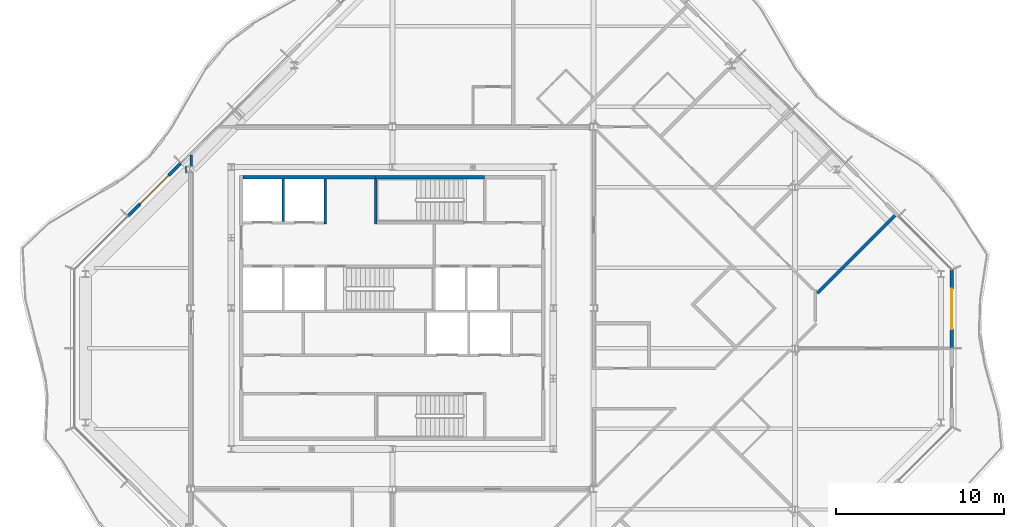
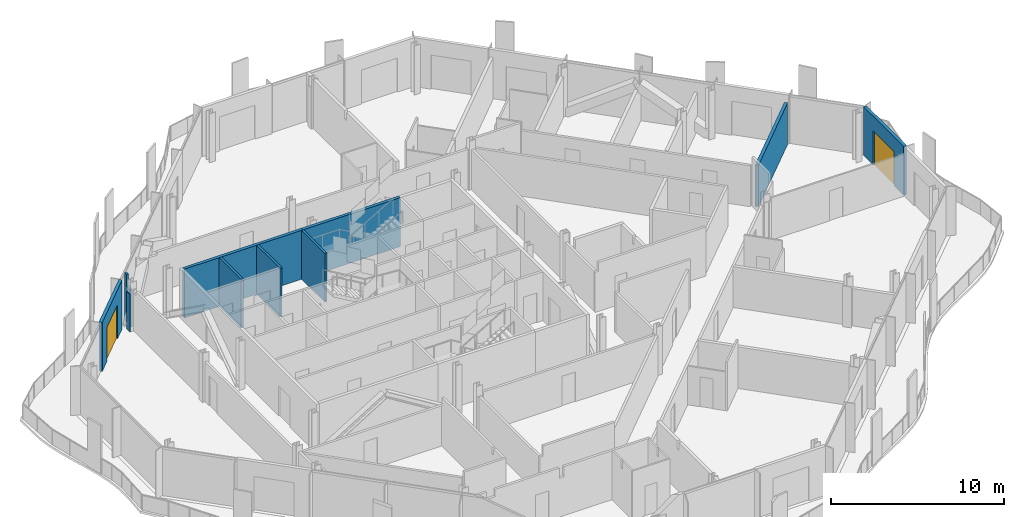
# One storey, part 10 of 17: 10 walls, 2 doors, 2 openings.
"""IFC4 building model written with IfcOpenShell, lengths in metres."""

from ifc_helpers import new_model, si_unit, direction, frame, frame_2d, origin, place, context, subcontext, project, spatial, polyline, rectangle, outline, extrude, material, layer, layer_set, type_object, element, fill, save


model = new_model("IFC4")

# Units and contexts
model_context = context("Model", 3, precision=1e-05, world=origin(), true_north=direction((0.0, 1.0)))
body_context = subcontext(model_context, "Body", "Model", "MODEL_VIEW")
ifc_project = project(units=[si_unit("LENGTHUNIT", "METRE"), si_unit("AREAUNIT", "SQUARE_METRE"), si_unit("VOLUMEUNIT", "CUBIC_METRE"), si_unit("PLANEANGLEUNIT", "RADIAN"), si_unit("MASSUNIT", "GRAM", prefix="KILO")], contexts=[model_context])

# Site, building, storey
site_placement = place(None, origin())
site = spatial("IfcSite", under=ifc_project, at=site_placement, CompositionType="ELEMENT")
building_placement = place(site_placement, origin())
building = spatial("IfcBuilding", under=site, at=building_placement, Name="Cairn Pilgrim Tower", CompositionType="ELEMENT")
storey_placement = place(building_placement, frame((0.0, 0.0, 274.199951171875)))
storey = spatial("IfcBuildingStorey", under=building, at=storey_placement, Name="L70", CompositionType="ELEMENT", Elevation=274.199951171875)

# Wall, opening, door
ifc_material_1 = material(Name="Bronze anodised aluminium insulated sandwich panel with mineral wool fill", Category="aluminium")
ifc_layer_1 = layer(ifc_material_1, 0.199951171875)
ifc_layer_set_1 = layer_set([ifc_layer_1], Name="BRONZE INFILL FRAME WALL 200")
wall_type_1 = type_object("IfcWallType", Name="BRONZE INFILL FRAME WALL 200", PredefinedType="NOTDEFINED", material=ifc_layer_set_1)
wall_1_placement = place(storey_placement, frame((40.550048828125, 0.030029296875, 0.0), z_axis=(0.0, 0.0, 1.0), x_axis=(0.0, 1.0, 0.0)))
wall_1 = element("IfcWall", 1, at=wall_1_placement, inside=storey, type_object=wall_type_1, Name="Bronze infill frame wall IW-E2", PredefinedType="NOTDEFINED", context=body_context, shape_type="SweptSolid", body=[
    extrude(rectangle(XDim=4.62646484375, YDim=0.199951171875, at=frame_2d((2.313232421875, 0.0))), origin(), (0.0, 0.0, 1.0), 3.449951171875),
])
opening_1_placement = place(wall_1_placement, frame((1.117919921875, 0.0, 0.0)))
opening_1 = element("IfcOpeningElement", 2, at=opening_1_placement, cuts=wall_1, Name="Opening 7004B", PredefinedType="OPENING", context=body_context, shape_type="SweptSolid", body=[
    extrude(rectangle(XDim=2.39990234375, YDim=2.39990234375, at=frame_2d((1.199951171875, 1.199951171875))), frame((0.0, 0.10986328125, 0.0), z_axis=(0.0, -1.0, 0.0), x_axis=(1.0, 0.0, 0.0)), (0.0, 0.0, 1.0), 0.219970703125),
])
ifc_material_2 = material(Name="Bronze anodised aluminium frame with tinted low-E glass", Category="aluminium")
door_type = type_object("IfcDoorType", Name="BALCONY SLIDING DOOR 2400x2400", OperationType="DOUBLE_DOOR_SLIDING", PredefinedType="DOOR", material=ifc_material_2)
door_1_placement = place(opening_1_placement, origin())
door_1 = element("IfcDoor", 3, at=door_1_placement, inside=storey, type_object=door_type, Name="Balcony sliding door 7004B", OperationType="SINGLE_SWING_LEFT", OverallHeight=2.39990234375, OverallWidth=2.39990234375, PredefinedType="DOOR", context=body_context, shape_type="SweptSolid", body=[
    extrude(rectangle(XDim=2.39990234375, YDim=2.39990234375, at=frame_2d((1.199951171875, 1.199951171875))), frame((0.0, 0.02490234375, 0.0), z_axis=(0.0, -1.0, 0.0), x_axis=(1.0, 0.0, 0.0)), (0.0, 0.0, 1.0), 0.050048828125),
])
fill(opening_1, door_1)

wall_2_placement = place(storey_placement, frame((-5.419921875, 11.0263671875, 0.0), z_axis=(0.0, 0.0, 1.0), x_axis=(-0.707134329907, -0.707079231393, 0.0)))
wall_2 = element("IfcWall", 4, at=wall_2_placement, inside=storey, type_object=wall_type_1, Name="Bronze infill frame wall IW-NW5", PredefinedType="NOTDEFINED", context=body_context, shape_type="SweptSolid", body=[
    extrude(rectangle(XDim=4.430908203125, YDim=0.199951171875, at=frame_2d((2.21533203125, 0.0))), origin(), (0.0, 0.0, 1.0), 3.449951171875),
])
opening_2_placement = place(wall_2_placement, frame((1.01513671875, 0.0, 0.0)))
opening_2 = element("IfcOpeningElement", 5, at=opening_2_placement, cuts=wall_2, Name="Opening 7011B", PredefinedType="OPENING", context=body_context, shape_type="SweptSolid", body=[
    extrude(rectangle(XDim=2.39990234375, YDim=2.39990234375, at=frame_2d((1.199951171875, 1.199951171875))), frame((0.0, 0.10986328125, 0.0), z_axis=(0.0, -1.0, 0.0), x_axis=(1.0, 0.0, 0.0)), (0.0, 0.0, 1.0), 0.219970703125),
])
door_2_placement = place(opening_2_placement, origin())
door_2 = element("IfcDoor", 6, at=door_2_placement, inside=storey, type_object=door_type, Name="Balcony sliding door 7011B", OperationType="SINGLE_SWING_LEFT", OverallHeight=2.39990234375, OverallWidth=2.39990234375, PredefinedType="DOOR", context=body_context, shape_type="SweptSolid", body=[
    extrude(rectangle(XDim=2.39990234375, YDim=2.39990234375, at=frame_2d((1.199951171875, 1.199951171875))), frame((0.0, 0.02490234375, 0.0), z_axis=(0.0, -1.0, 0.0), x_axis=(1.0, 0.0, 0.0)), (0.0, 0.0, 1.0), 0.050048828125),
])
fill(opening_2, door_2)

# Walls
ifc_material_3 = material(Name="Concrete C32/40", Category="concrete")
ifc_layer_2 = layer(ifc_material_3, 0.199951171875)
ifc_layer_set_2 = layer_set([ifc_layer_2], Name="CORE OUTER WALL 200 EI 120")
wall_type_2 = type_object("IfcWallType", Name="CORE OUTER WALL 200 EI 120", PredefinedType="SOLIDWALL", material=ifc_layer_set_2)
wall_3_placement = place(storey_placement, frame((-1.699951171875, 10.199951171875, 0.0), z_axis=(0.0, 0.0, 1.0), x_axis=(1.0, 0.0, 0.0)))
element("IfcWall", 7, at=wall_3_placement, inside=storey, type_object=wall_type_2, Name="CW:L70:H12-1", PredefinedType="SOLIDWALL", context=body_context, shape_type="SweptSolid", body=[
    extrude(rectangle(XDim=7.89990234375, YDim=0.199951171875, at=frame_2d((3.949951171875, 0.0))), origin(), (0.0, 0.0, 1.0), 3.449951171875),
])
ifc_layer_3 = layer(ifc_material_3, 0.14990234375)
ifc_layer_set_3 = layer_set([ifc_layer_3], Name="CORE SHAFT WALL 150 EI 120")
wall_type_3 = type_object("IfcWallType", Name="CORE SHAFT WALL 150 EI 120", PredefinedType="SOLIDWALL", material=ifc_layer_set_3)
wall_4_placement = place(storey_placement, frame((0.699951171875, 7.574951171875, 0.0), z_axis=(0.0, 0.0, 1.0), x_axis=(0.0, 1.0, 0.0)))
element("IfcWall", 8, at=wall_4_placement, inside=storey, type_object=wall_type_3, Name="CW:L70:V15", PredefinedType="SOLIDWALL", context=body_context, shape_type="SweptSolid", body=[
    extrude(rectangle(XDim=2.525146484375, YDim=0.14990234375, at=frame_2d((1.2626953125, 0.0))), origin(), (0.0, 0.0, 1.0), 3.449951171875),
])
wall_5_placement = place(storey_placement, frame((3.199951171875, 7.425048828125, 0.0), z_axis=(0.0, 0.0, 1.0), x_axis=(0.0, 1.0, 0.0)))
element("IfcWall", 9, at=wall_5_placement, inside=storey, type_object=wall_type_3, Name="CW:L70:V18", PredefinedType="SOLIDWALL", context=body_context, shape_type="SweptSolid", body=[
    extrude(rectangle(XDim=2.675048828125, YDim=0.14990234375, at=frame_2d((1.33740234375, 0.0))), origin(), (0.0, 0.0, 1.0), 3.449951171875),
])
ifc_material_4 = material(Name="Gypsum partition")
ifc_layer_4 = layer(ifc_material_4, 0.14990234375)
ifc_layer_set_4 = layer_set([ifc_layer_4], Name="PARTITION 150 DRYWALL EI 60")
wall_type_4 = type_object("IfcWallType", Name="PARTITION 150 DRYWALL EI 60", PredefinedType="PARTITIONING", material=ifc_layer_set_4)
wall_6_placement = place(storey_placement, frame((-4.800048828125, 10.847900390625, 0.0), z_axis=(0.0, 0.0, 1.0), x_axis=(0.0, 1.0, 0.0)))
element("IfcWall", 10, at=wall_6_placement, inside=storey, type_object=wall_type_4, Name="PARTITION W048", PredefinedType="PARTITIONING", context=body_context, shape_type="SweptSolid", body=[
    extrude(outline(polyline([(0.0, 0.0), (0.67822265625, 0.0), (0.677978515625, 3.449951171875), (0.44921875, 3.449951171875), (0.447265625, 2.630126953125), (0.0, 2.630126953125), (0.0, 0.0)])), frame((0.0, 0.074951171875, 0.0), z_axis=(0.0, -1.0, 0.0), x_axis=(1.0, 0.0, 0.0)), (0.0, 0.0, 1.0), 0.14990234375),
])
ifc_layer_5 = layer(ifc_material_4, 0.050048828125)
ifc_layer_set_5 = layer_set([ifc_layer_5], Name="PARTITION 50 DRYWALL EI 60")
wall_type_5 = type_object("IfcWallType", Name="PARTITION 50 DRYWALL EI 60", PredefinedType="PARTITIONING", material=ifc_layer_set_5)
wall_7_placement = place(storey_placement, frame((-5.10009765625, 10.455078125, 0.0), z_axis=(0.0, 0.0, 1.0), x_axis=(0.0, 1.0, 0.0)))
element("IfcWall", 11, at=wall_7_placement, inside=storey, type_object=wall_type_5, Name="COLUMN CASING WC10", PredefinedType="PARTITIONING", context=body_context, shape_type="SweptSolid", body=[
    extrude(rectangle(XDim=0.392822265625, YDim=0.050048828125, at=frame_2d((0.1962890625, 0.0))), origin(), (0.0, 0.0, 1.0), 2.630126953125),
])
ifc_layer_6 = layer(ifc_material_4, 0.199951171875)
ifc_layer_set_6 = layer_set([ifc_layer_6], Name="SHAFT WALL 200 GYPSUM EI 60")
wall_type_6 = type_object("IfcWallType", Name="SHAFT WALL 200 GYPSUM EI 60", PredefinedType="PARTITIONING", material=ifc_layer_set_6)
wall_8_placement = place(storey_placement, frame((32.545654296875, 3.297607421875, 0.0), z_axis=(0.0, 0.0, 1.0), x_axis=(0.707106781187, 0.707106781187, 0.0)))
element("IfcWall", 12, at=wall_8_placement, inside=storey, type_object=wall_type_6, Name="PARTITION W043", PredefinedType="PARTITIONING", context=body_context, shape_type="SweptSolid", body=[
    extrude(rectangle(XDim=6.51904296875, YDim=0.199951171875, at=frame_2d((3.259521484375, 0.0))), origin(), (0.0, 0.0, 1.0), 2.929931640625),
])
ifc_material_5 = material(Name="Concrete C35/45", Category="concrete")
ifc_layer_7 = layer(ifc_material_5, 0.14990234375)
ifc_layer_set_7 = layer_set([ifc_layer_7], Name="STAIR SHAFT WALL 150 EI 120")
wall_type_7 = type_object("IfcWallType", Name="STAIR SHAFT WALL 150 EI 120", PredefinedType="SOLIDWALL", material=ifc_layer_set_7)
wall_9_placement = place(storey_placement, frame((6.199951171875, 7.425048828125, 0.0), z_axis=(0.0, 0.0, 1.0), x_axis=(0.0, 1.0, 0.0)))
element("IfcWall", 13, at=wall_9_placement, inside=storey, type_object=wall_type_7, Name="CW:L70:V20", PredefinedType="SOLIDWALL", context=body_context, shape_type="SweptSolid", body=[
    extrude(rectangle(XDim=2.675048828125, YDim=0.14990234375, at=frame_2d((1.33740234375, 0.0))), origin(), (0.0, 0.0, 1.0), 3.449951171875),
])
ifc_layer_8 = layer(ifc_material_5, 0.199951171875)
ifc_layer_set_8 = layer_set([ifc_layer_8], Name="STAIR SHAFT WALL 200 EI 120")
wall_type_8 = type_object("IfcWallType", Name="STAIR SHAFT WALL 200 EI 120", PredefinedType="SOLIDWALL", material=ifc_layer_set_8)
wall_10_placement = place(storey_placement, frame((6.199951171875, 10.199951171875, 0.0), z_axis=(0.0, 0.0, 1.0), x_axis=(1.0, 0.0, 0.0)))
element("IfcWall", 14, at=wall_10_placement, inside=storey, type_object=wall_type_8, Name="CW:L70:H12-2", PredefinedType="SOLIDWALL", context=body_context, shape_type="SweptSolid", body=[
    extrude(rectangle(XDim=6.5, YDim=0.199951171875, at=frame_2d((3.25, 0.0))), origin(), (0.0, 0.0, 1.0), 3.449951171875),
])

save(model, "model.ifc")
